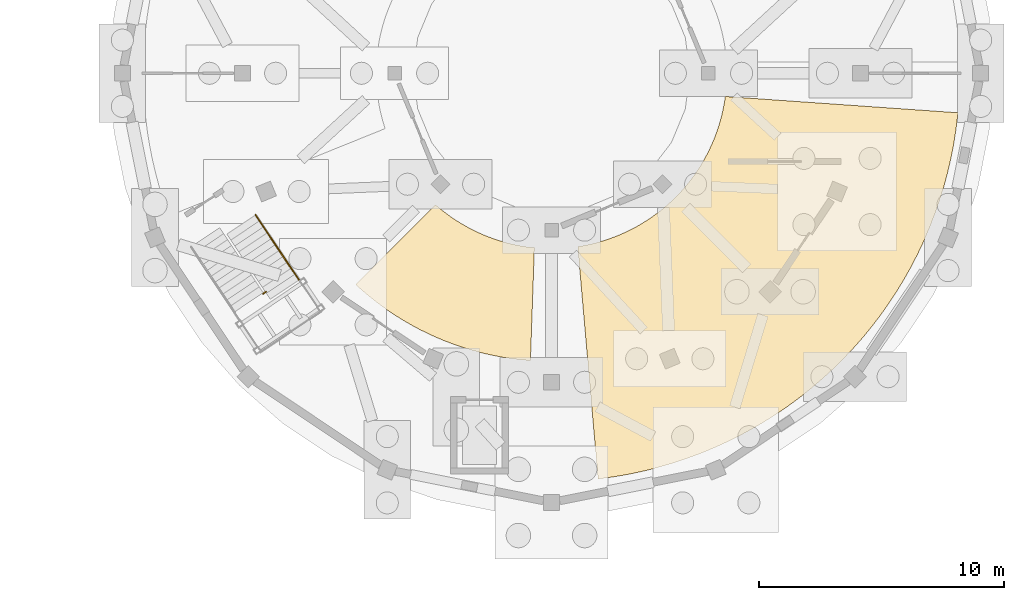
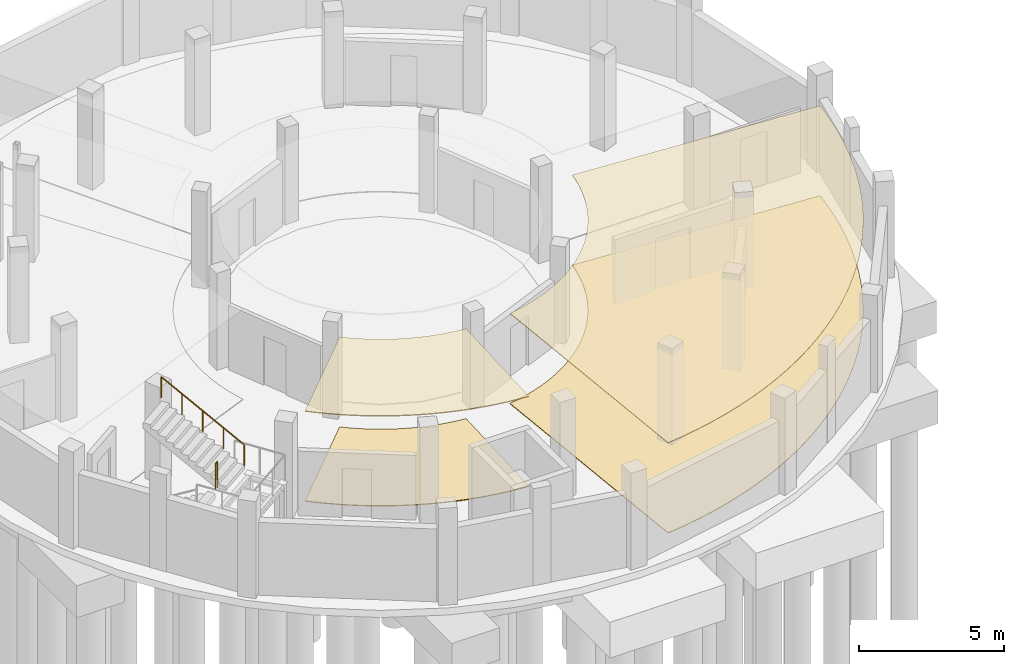
# One storey, part 56 of 58: 4 coverings, 2 railings.
"""IFC4 building model written with IfcOpenShell, lengths in metres."""

from ifc_helpers import new_model, si_unit, direction, frame, origin, origin_2d, place, context, subcontext, project, spatial, polyline, circle, outline, extrude, material, layer, layer_set, type_object, element, save


model = new_model("IFC4")

# Units and contexts
model_context = context("Model", 3, precision=1e-05, world=origin(), true_north=direction((0.0, 1.0)))
body_context = subcontext(model_context, "Body", "Model", "MODEL_VIEW")
ifc_project = project(units=[si_unit("LENGTHUNIT", "METRE"), si_unit("AREAUNIT", "SQUARE_METRE"), si_unit("VOLUMEUNIT", "CUBIC_METRE"), si_unit("PLANEANGLEUNIT", "RADIAN"), si_unit("MASSUNIT", "GRAM", prefix="KILO")], contexts=[model_context])

# Site, building, storey
site_placement = place(None, origin())
site = spatial("IfcSite", under=ifc_project, at=site_placement, CompositionType="ELEMENT")
building_placement = place(site_placement, origin())
building = spatial("IfcBuilding", under=site, at=building_placement, Name="Caldaven Crescent School", CompositionType="ELEMENT")
storey_placement = place(building_placement, frame((0.0, 0.0, -4.080078125)))
storey = spatial("IfcBuildingStorey", under=building, at=storey_placement, Name="B1", CompositionType="ELEMENT", Elevation=-4.080078125)

# Coverings
ifc_material_1 = material(Name="Perforated Pino Radiata acoustic timber baffle ceiling", Category="wood")
ifc_layer_1 = layer(ifc_material_1, 0.030029296875)
ifc_layer_set_1 = layer_set([ifc_layer_1], Name="Perforated Pino Radiata acoustic timber baffle ceiling")
covering_type_1 = type_object("IfcCoveringType", Name="COV-CLG1", PredefinedType="CEILING", material=ifc_layer_set_1)
covering_1_placement = place(storey_placement, frame((0.0, 0.0, 3.7900390625)))
element("IfcCovering", 1, at=covering_1_placement, inside=storey, type_object=covering_type_1, Name="CLG-B1-004", PredefinedType="CEILING", context=body_context, shape_type="SweptSolid", body=[
    extrude(outline(polyline([(153.61669921875, 91.437744140625), (153.632568359375, 91.440185546875), (153.86572265625, 91.481689453125), (153.881103515625, 91.48486328125), (154.11279296875, 91.534423828125), (154.12841796875, 91.5380859375), (154.35791015625, 91.595703125), (154.373291015625, 91.599853515625), (154.6005859375, 91.66552734375), (154.615966796875, 91.67041015625), (154.8408203125, 91.744140625), (154.855712890625, 91.749267578125), (155.078125, 91.8310546875), (155.093017578125, 91.8369140625), (155.312255859375, 91.92626953125), (155.326904296875, 91.9326171875), (155.54296875, 92.02978515625), (155.556884765625, 92.03662109375), (155.769287109375, 92.141357421875), (155.78369140625, 92.148681640625), (155.9921875, 92.2607421875), (156.006103515625, 92.2685546875), (156.21044921875, 92.38818359375), (156.22412109375, 92.396484375), (156.424072265625, 92.523193359375), (156.437255859375, 92.531982421875), (156.6328125, 92.66552734375), (156.645751953125, 92.6748046875), (156.836181640625, 92.815185546875), (156.848876953125, 92.82470703125), (157.034423828125, 92.9716796875), (157.046875, 92.98193359375), (157.22705078125, 93.135498046875), (157.239013671875, 93.146240234375), (157.413818359375, 93.30615234375), (157.42529296875, 93.31689453125), (157.593994140625, 93.48291015625), (157.605224609375, 93.494384765625), (157.768310546875, 93.666015625), (157.77880859375, 93.677734375), (157.935791015625, 93.85498046875), (157.946044921875, 93.8671875), (158.096435546875, 94.05029296875), (158.106201171875, 94.0625), (158.250244140625, 94.250732421875), (158.259765625, 94.263427734375), (158.396728515625, 94.45654296875), (158.40576171875, 94.4697265625), (158.535888671875, 94.66748046875), (158.54443359375, 94.680908203125), (158.66748046875, 94.883056640625), (158.67578125, 94.89697265625), (158.79150390625, 95.103515625), (158.799072265625, 95.1171875), (158.90771484375, 95.32763671875), (158.914794921875, 95.342041015625), (159.015869140625, 95.556396484375), (159.022216796875, 95.57080078125), (159.11572265625, 95.788330078125), (159.12158203125, 95.802978515625), (159.20751953125, 96.023681640625), (159.212890625, 96.03857421875), (159.290771484375, 96.26220703125), (159.295654296875, 96.27734375), (159.365478515625, 96.503662109375), (159.3701171875, 96.518798828125), (159.431884765625, 96.747314453125), (159.435791015625, 96.762939453125), (159.489501953125, 96.99365234375), (159.49267578125, 97.0087890625), (159.538330078125, 97.2412109375), (159.541015625, 97.257080078125), (159.578369140625, 97.490966796875), (159.58056640625, 97.506591796875), (159.58642578125, 97.55322265625), (169.070068359375, 96.89013671875), (169.057861328125, 96.752197265625), (168.98583984375, 96.16845703125), (168.893310546875, 95.58740234375), (168.780029296875, 95.009765625), (168.646484375, 94.436767578125), (168.492919921875, 93.868896484375), (168.3193359375, 93.306640625), (168.125732421875, 92.750732421875), (167.9130859375, 92.2021484375), (167.680908203125, 91.66162109375), (167.4296875, 91.12939453125), (167.159912109375, 90.6064453125), (166.871826171875, 90.093505859375), (166.56591796875, 89.5908203125), (166.2421875, 89.099365234375), (165.901611328125, 88.61962890625), (165.5439453125, 88.152099609375), (165.170166015625, 87.69775390625), (164.780517578125, 87.2568359375), (164.37548828125, 86.830078125), (163.955810546875, 86.41748046875), (163.521484375, 86.020263671875), (163.073974609375, 85.638671875), (162.61279296875, 85.273193359375), (162.138916015625, 84.924072265625), (161.6533203125, 84.591796875), (161.15625, 84.277099609375), (160.648193359375, 83.97998046875), (160.1298828125, 83.701171875), (159.602294921875, 83.44091796875), (159.06591796875, 83.19921875), (158.52099609375, 82.976806640625), (157.96875, 82.773681640625), (157.40966796875, 82.59033203125), (156.844482421875, 82.427001953125), (156.273681640625, 82.283447265625), (155.698486328125, 82.16015625), (155.118896484375, 82.057373046875), (154.536376953125, 81.97509765625), (154.398681640625, 81.960693359375), (153.570068359375, 91.43115234375), (153.61669921875, 91.437744140625)])), origin(), (0.0, 0.0, 1.0), 0.030029296875),
])
ifc_layer_2 = layer(ifc_material_1, 0.0380859375)
ifc_layer_set_2 = layer_set([ifc_layer_2], Name="Perforated Pino Radiata acoustic timber baffle ceiling")
covering_type_2 = type_object("IfcCoveringType", Name="COV-CLG2", PredefinedType="CEILING", material=ifc_layer_set_2)
covering_2_placement = place(storey_placement, frame((0.0, 0.0, 3.781982421875)))
element("IfcCovering", 2, at=covering_2_placement, inside=storey, type_object=covering_type_2, Name="CLG-B1-005", PredefinedType="CEILING", context=body_context, shape_type="SweptSolid", body=[
    extrude(outline(polyline([(147.772705078125, 93.13623046875), (147.794921875, 93.116455078125), (147.806396484375, 93.106201171875), (147.981201171875, 92.958984375), (147.9931640625, 92.949462890625), (148.1728515625, 92.80810546875), (148.18505859375, 92.798828125), (148.369384765625, 92.663818359375), (148.3818359375, 92.655029296875), (148.57080078125, 92.5263671875), (148.583740234375, 92.517822265625), (148.777099609375, 92.395751953125), (148.790283203125, 92.3876953125), (148.987548828125, 92.2724609375), (149.00048828125, 92.264892578125), (149.20166015625, 92.15625), (149.215576171875, 92.149169921875), (149.420166015625, 92.04736328125), (149.433837890625, 92.040771484375), (149.641845703125, 91.946044921875), (149.656005859375, 91.93994140625), (149.8671875, 91.8525390625), (149.88134765625, 91.846923828125), (150.095458984375, 91.7666015625), (150.10986328125, 91.761474609375), (150.326416015625, 91.6884765625), (150.341064453125, 91.683837890625), (150.56005859375, 91.618408203125), (150.57470703125, 91.614013671875), (150.7958984375, 91.55615234375), (150.810791015625, 91.552490234375), (151.03369140625, 91.501953125), (151.048583984375, 91.498779296875), (151.273193359375, 91.4560546875), (151.288330078125, 91.453369140625), (151.51416015625, 91.418212890625), (151.529296875, 91.416259765625), (151.75634765625, 91.388916015625), (151.771484375, 91.38720703125), (151.80126953125, 91.384765625), (151.640380859375, 86.7822265625), (151.290283203125, 86.8125), (150.892333984375, 86.860595703125), (150.496337890625, 86.922119140625), (150.1025390625, 86.997314453125), (149.711669921875, 87.085693359375), (149.323974609375, 87.1875), (148.93994140625, 87.30224609375), (148.560302734375, 87.43017578125), (148.18505859375, 87.571044921875), (147.814697265625, 87.724609375), (147.449951171875, 87.890625), (147.091064453125, 88.069091796875), (146.73828125, 88.259521484375), (146.392578125, 88.462158203125), (146.0537109375, 88.67626953125), (145.722412109375, 88.90185546875), (145.39892578125, 89.138671875), (145.083740234375, 89.38623046875), (144.77734375, 89.64453125), (144.516357421875, 89.8798828125), (147.772705078125, 93.13623046875)])), origin(), (0.0, 0.0, 1.0), 0.0380859375),
])
ifc_material_2 = material(Name="Polished terrazzo and acoustic linoleum flooring")
ifc_layer_3 = layer(ifc_material_2, 0.02587890625)
ifc_layer_set_3 = layer_set([ifc_layer_3], Name="Polished terrazzo and acoustic linoleum flooring")
covering_type_3 = type_object("IfcCoveringType", Name="COV-FLR2", PredefinedType="FLOORING", material=ifc_layer_set_3)
covering_3_placement = place(storey_placement, origin())
element("IfcCovering", 3, at=covering_3_placement, inside=storey, type_object=covering_type_3, Name="FLR-B1-004", PredefinedType="FLOORING", context=body_context, shape_type="SweptSolid", body=[
    extrude(outline(polyline([(153.570068359375, 91.43115234375), (153.61669921875, 91.437744140625), (153.632568359375, 91.440185546875), (153.86572265625, 91.481689453125), (153.881103515625, 91.48486328125), (154.11279296875, 91.534423828125), (154.12841796875, 91.5380859375), (154.35791015625, 91.595703125), (154.373291015625, 91.599853515625), (154.6005859375, 91.66552734375), (154.615966796875, 91.67041015625), (154.8408203125, 91.744140625), (154.855712890625, 91.749267578125), (155.078125, 91.8310546875), (155.093017578125, 91.8369140625), (155.312255859375, 91.92626953125), (155.326904296875, 91.9326171875), (155.54296875, 92.02978515625), (155.556884765625, 92.03662109375), (155.769287109375, 92.141357421875), (155.78369140625, 92.148681640625), (155.9921875, 92.2607421875), (156.006103515625, 92.2685546875), (156.21044921875, 92.38818359375), (156.22412109375, 92.396484375), (156.424072265625, 92.523193359375), (156.437255859375, 92.531982421875), (156.6328125, 92.66552734375), (156.645751953125, 92.6748046875), (156.836181640625, 92.815185546875), (156.848876953125, 92.82470703125), (157.034423828125, 92.9716796875), (157.046875, 92.98193359375), (157.22705078125, 93.135498046875), (157.239013671875, 93.146240234375), (157.413818359375, 93.30615234375), (157.42529296875, 93.31689453125), (157.593994140625, 93.48291015625), (157.605224609375, 93.494384765625), (157.768310546875, 93.666015625), (157.77880859375, 93.677734375), (157.935791015625, 93.85498046875), (157.946044921875, 93.8671875), (158.096435546875, 94.05029296875), (158.106201171875, 94.0625), (158.250244140625, 94.250732421875), (158.259765625, 94.263427734375), (158.396728515625, 94.45654296875), (158.40576171875, 94.4697265625), (158.535888671875, 94.66748046875), (158.54443359375, 94.680908203125), (158.66748046875, 94.883056640625), (158.67578125, 94.89697265625), (158.79150390625, 95.103515625), (158.799072265625, 95.1171875), (158.90771484375, 95.32763671875), (158.914794921875, 95.342041015625), (159.015869140625, 95.556396484375), (159.022216796875, 95.57080078125), (159.11572265625, 95.788330078125), (159.12158203125, 95.802978515625), (159.20751953125, 96.023681640625), (159.212890625, 96.03857421875), (159.290771484375, 96.26220703125), (159.295654296875, 96.27734375), (159.365478515625, 96.503662109375), (159.3701171875, 96.518798828125), (159.431884765625, 96.747314453125), (159.435791015625, 96.762939453125), (159.489501953125, 96.99365234375), (159.49267578125, 97.0087890625), (159.538330078125, 97.2412109375), (159.541015625, 97.257080078125), (159.578369140625, 97.490966796875), (159.58056640625, 97.506591796875), (159.58642578125, 97.55322265625), (169.070068359375, 96.89013671875), (169.057861328125, 96.752197265625), (168.98583984375, 96.16845703125), (168.893310546875, 95.58740234375), (168.780029296875, 95.009765625), (168.646484375, 94.436767578125), (168.492919921875, 93.868896484375), (168.3193359375, 93.306640625), (168.125732421875, 92.750732421875), (167.9130859375, 92.2021484375), (167.680908203125, 91.66162109375), (167.4296875, 91.12939453125), (167.159912109375, 90.6064453125), (166.871826171875, 90.093505859375), (166.56591796875, 89.5908203125), (166.2421875, 89.099365234375), (165.901611328125, 88.61962890625), (165.5439453125, 88.152099609375), (165.170166015625, 87.69775390625), (164.780517578125, 87.2568359375), (164.37548828125, 86.830078125), (163.955810546875, 86.41748046875), (163.521484375, 86.020263671875), (163.073974609375, 85.638671875), (162.61279296875, 85.273193359375), (162.138916015625, 84.924072265625), (161.6533203125, 84.591796875), (161.15625, 84.277099609375), (160.648193359375, 83.97998046875), (160.1298828125, 83.701171875), (159.602294921875, 83.44091796875), (159.06591796875, 83.19921875), (158.52099609375, 82.976806640625), (157.96875, 82.773681640625), (157.40966796875, 82.59033203125), (156.844482421875, 82.427001953125), (156.273681640625, 82.283447265625), (155.698486328125, 82.16015625), (155.118896484375, 82.057373046875), (154.536376953125, 81.97509765625), (154.398681640625, 81.960693359375), (153.570068359375, 91.43115234375)])), origin(), (0.0, 0.0, 1.0), 0.026123046875),
])
ifc_layer_4 = layer(ifc_material_2, 0.031982421875)
ifc_layer_set_4 = layer_set([ifc_layer_4], Name="Polished terrazzo and acoustic linoleum flooring")
covering_type_4 = type_object("IfcCoveringType", Name="COV-FLR3", PredefinedType="FLOORING", material=ifc_layer_set_4)
covering_4_placement = place(storey_placement, origin())
element("IfcCovering", 4, at=covering_4_placement, inside=storey, type_object=covering_type_4, Name="FLR-B1-005", PredefinedType="FLOORING", context=body_context, shape_type="SweptSolid", body=[
    extrude(outline(polyline([(144.516357421875, 89.8798828125), (147.772705078125, 93.13623046875), (147.794921875, 93.116455078125), (147.806396484375, 93.106201171875), (147.981201171875, 92.958984375), (147.9931640625, 92.949462890625), (148.1728515625, 92.80810546875), (148.18505859375, 92.798828125), (148.369384765625, 92.663818359375), (148.3818359375, 92.655029296875), (148.57080078125, 92.5263671875), (148.583740234375, 92.517822265625), (148.777099609375, 92.395751953125), (148.790283203125, 92.3876953125), (148.987548828125, 92.2724609375), (149.00048828125, 92.264892578125), (149.20166015625, 92.15625), (149.215576171875, 92.149169921875), (149.420166015625, 92.04736328125), (149.433837890625, 92.040771484375), (149.641845703125, 91.946044921875), (149.656005859375, 91.93994140625), (149.8671875, 91.8525390625), (149.88134765625, 91.846923828125), (150.095458984375, 91.7666015625), (150.10986328125, 91.761474609375), (150.326416015625, 91.6884765625), (150.341064453125, 91.683837890625), (150.56005859375, 91.618408203125), (150.57470703125, 91.614013671875), (150.7958984375, 91.55615234375), (150.810791015625, 91.552490234375), (151.03369140625, 91.501953125), (151.048583984375, 91.498779296875), (151.273193359375, 91.4560546875), (151.288330078125, 91.453369140625), (151.51416015625, 91.418212890625), (151.529296875, 91.416259765625), (151.75634765625, 91.388916015625), (151.771484375, 91.38720703125), (151.80126953125, 91.384765625), (151.640380859375, 86.7822265625), (151.290283203125, 86.8125), (150.892333984375, 86.860595703125), (150.496337890625, 86.922119140625), (150.1025390625, 86.997314453125), (149.711669921875, 87.085693359375), (149.323974609375, 87.1875), (148.93994140625, 87.30224609375), (148.560302734375, 87.43017578125), (148.18505859375, 87.571044921875), (147.814697265625, 87.724609375), (147.449951171875, 87.890625), (147.091064453125, 88.069091796875), (146.73828125, 88.259521484375), (146.392578125, 88.462158203125), (146.0537109375, 88.67626953125), (145.722412109375, 88.90185546875), (145.39892578125, 89.138671875), (145.083740234375, 89.38623046875), (144.77734375, 89.64453125), (144.516357421875, 89.8798828125)])), origin(), (0.0, 0.0, 1.0), 0.031982421875),
])

# Railings
ifc_material_3 = material(Name="Brushed stainless-steel continuous tubular handrail", Category="steel")
railing_type_1 = type_object("IfcRailingType", Name="RAL-HR2", PredefinedType="HANDRAIL", material=ifc_material_3)
railing_1_placement = place(storey_placement, frame((142.203857421875, 90.06884765625, 2.213134765625)))
element("IfcRailing", 5, at=railing_1_placement, inside=storey, type_object=railing_type_1, Name="HR-STB5-B1-F2", PredefinedType="HANDRAIL", context=body_context, shape_type="SweptSolid", body=[
    extrude(circle(Radius=0.02392578125, at=origin_2d()), frame((0.0, 0.0, 0.8759765625), z_axis=(-0.479290870467, 0.71731864124, 0.505701718819), x_axis=(-0.831472890433, -0.555565326919, 0.0)), (0.0, 0.0, 1.0), 3.697509765625),
    extrude(circle(Radius=0.02099609375, at=origin_2d()), origin(), (0.0, 0.0, 1.0), 0.851806640625),
    extrude(circle(Radius=0.02099609375, at=origin_2d()), frame((-0.443115234375, 0.6630859375, 0.467529296875)), (0.0, 0.0, 1.0), 0.851806640625),
    extrude(circle(Radius=0.02099609375, at=origin_2d()), frame((-0.88623046875, 1.326171875, 0.93505859375)), (0.0, 0.0, 1.0), 0.851806640625),
    extrude(circle(Radius=0.02099609375, at=origin_2d()), frame((-1.3291015625, 1.9892578125, 1.40234375)), (0.0, 0.0, 1.0), 0.851806640625),
    extrude(circle(Radius=0.02099609375, at=origin_2d()), frame((-1.772216796875, 2.65234375, 1.869873046875)), (0.0, 0.0, 1.0), 0.851806640625),
])
ifc_material_4 = material(Name="Powder-coated tubular steel balustrade ASTM A572 Grade 50", Category="steel")
railing_type_2 = type_object("IfcRailingType", Name="RAL-INT2", PredefinedType="BALUSTRADE", material=ifc_material_4)
railing_2_placement = place(storey_placement, frame((140.741455078125, 89.5126953125, 2.0400390625)))
element("IfcRailing", 6, at=railing_2_placement, inside=storey, type_object=railing_type_2, Name="GD-SLT-STB5-B1", PredefinedType="BALUSTRADE", context=body_context, shape_type="SweptSolid", body=[
    extrude(circle(Radius=0.02392578125, at=origin_2d()), frame((0.0, 0.0, 1.09619140625), z_axis=(0.832050294338, 0.554700196225, 0.0), x_axis=(-0.554700196225, 0.832050294338, 0.0)), (0.0, 0.0, 1.0), 0.139892578125),
    extrude(circle(Radius=0.02099609375, at=origin_2d()), origin(), (0.0, 0.0, 1.0), 1.072021484375),
    extrude(circle(Radius=0.02099609375, at=origin_2d()), frame((0.116455078125, 0.07763671875, 0.0)), (0.0, 0.0, 1.0), 1.072021484375),
])

save(model, "model.ifc")
